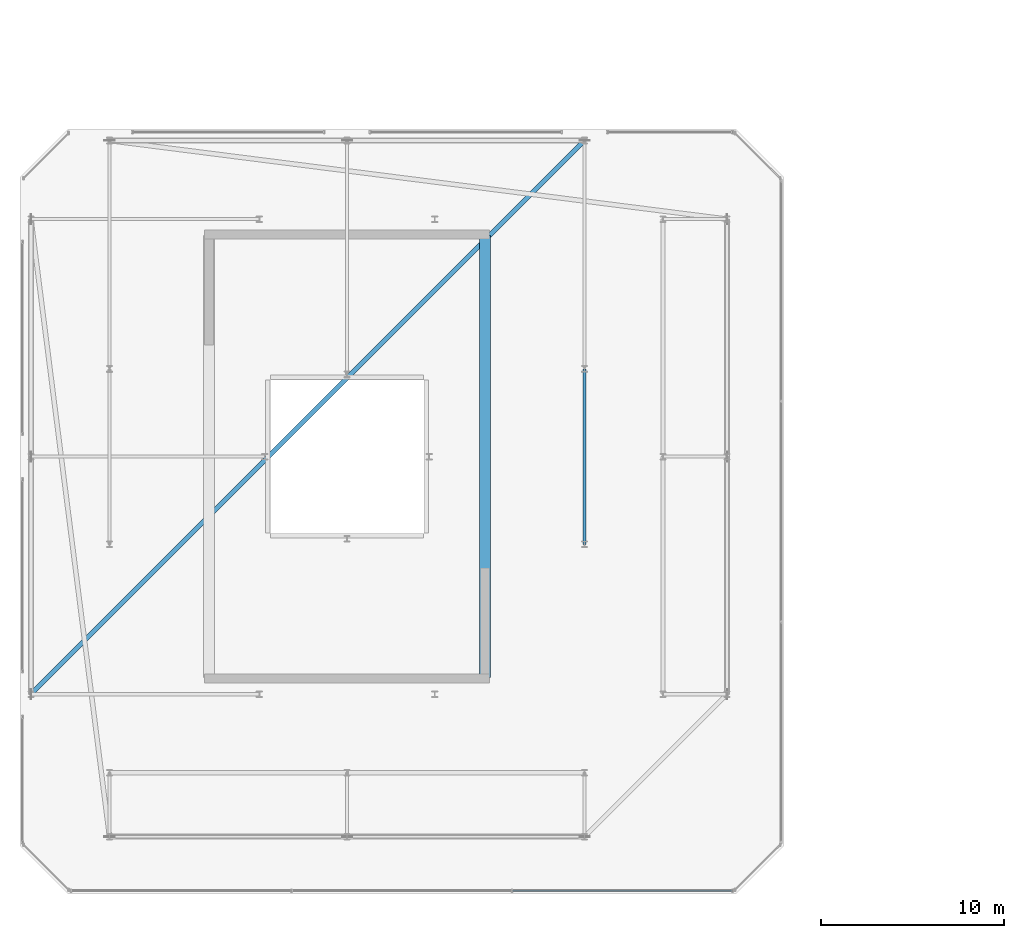
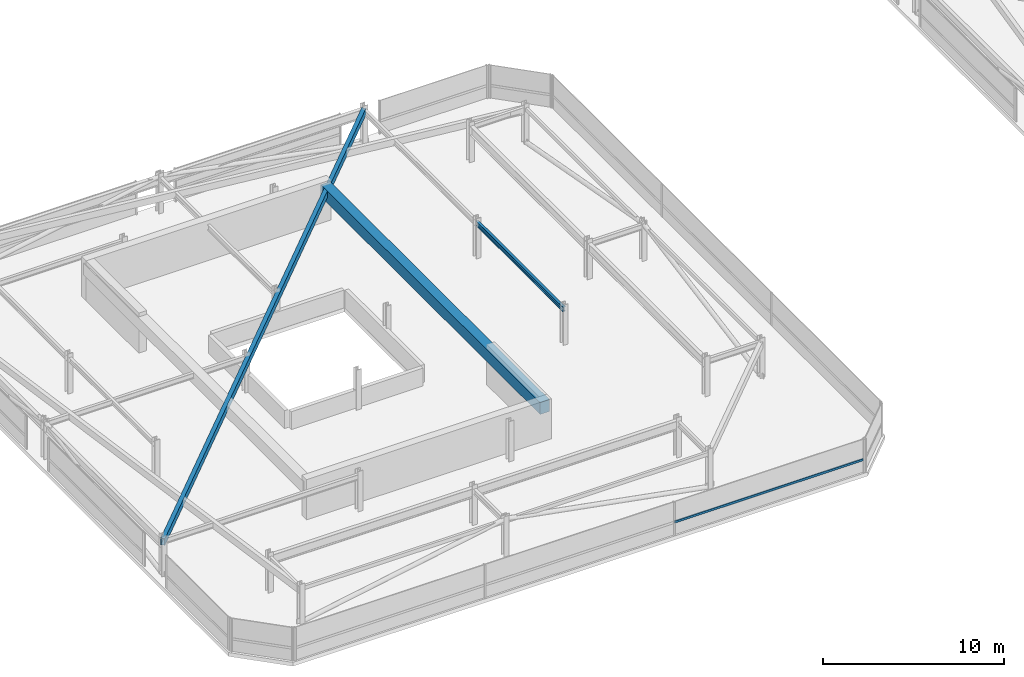
# One storey, part 15 of 42: 3 beams, 1 member, 1 element without a shape of its own.
"""IFC4 building model written with IfcOpenShell, lengths in metres."""

from ifc_helpers import new_model, si_unit, direction, frame, origin, origin_2d, place, context, subcontext, project, spatial, rectangle, hollow_rectangle, i_section, extrude, material, material_profile, profile_set, type_object, element, aggregate, save


model = new_model("IFC4")

# Units and contexts
model_context = context("Model", 3, precision=1e-05, world=origin(), true_north=direction((0.0, 1.0)))
body_context = subcontext(model_context, "Body", "Model", "MODEL_VIEW")
ifc_project = project(units=[si_unit("LENGTHUNIT", "METRE"), si_unit("AREAUNIT", "SQUARE_METRE"), si_unit("VOLUMEUNIT", "CUBIC_METRE"), si_unit("PLANEANGLEUNIT", "RADIAN"), si_unit("MASSUNIT", "GRAM", prefix="KILO")], contexts=[model_context])

# Site, building, storey
site_placement = place(None, origin())
site = spatial("IfcSite", under=ifc_project, at=site_placement, CompositionType="ELEMENT")
building_placement = place(site_placement, origin())
building = spatial("IfcBuilding", under=site, at=building_placement, Name="Thornwick Lancets Civic Towers", CompositionType="ELEMENT")
storey_placement = place(building_placement, frame((0.0, 0.0, 289.5)))
storey = spatial("IfcBuildingStorey", under=building, at=storey_placement, Name="C04", CompositionType="ELEMENT", Elevation=289.5)

# Beams
ifc_material_1 = material(Name="Concrete C60/75", Category="concrete")
ifc_material_profile_1 = material_profile(ifc_material_1, rectangle(XDim=0.60009765625, YDim=0.800048828125, at=origin_2d()), Name="RC 600x800")
ifc_profile_set_1 = profile_set([ifc_material_profile_1], Name="Concrete C60/75")
beam_type_1 = type_object("IfcBeamType", Name="BM_COUP_RC800", PredefinedType="BEAM", material=ifc_profile_set_1)
beam_1_placement = place(storey_placement, frame((33.050048828125, 14.89990234375, 2.0400390625), z_axis=(0.0, 1.0, 0.0), x_axis=(-1.0, 0.0, 0.0)))
element("IfcBeam", 1, at=beam_1_placement, inside=storey, type_object=beam_type_1, Name="CB-C04-A1", PredefinedType="BEAM", context=body_context, shape_type="SweptSolid", body=[
    extrude(rectangle(XDim=0.60009765625, YDim=0.800048828125, at=origin_2d()), origin(), (0.0, 0.0, 1.0), 24.2001953125),
])
ifc_material_2 = material(Name="Steel S355JR", Category="steel")
ifc_material_profile_2 = material_profile(ifc_material_2, i_section(OverallWidth=0.1669921875, OverallDepth=0.310302734375, WebThickness=0.0078125, FlangeThickness=0.013671875, FilletRadius=0.0087890625, at=origin_2d()), Name="UKB 305x165x54")
ifc_profile_set_2 = profile_set([ifc_material_profile_2], Name="Steel S355JR")
beam_type_2 = type_object("IfcBeamType", Name="BM_LINTEL_305_54", PredefinedType="LINTEL", material=ifc_profile_set_2)
beam_2_placement = place(storey_placement, frame((38.5, 22.199951171875, 2.284912109375), z_axis=(0.0, 1.0, 0.0), x_axis=(-1.0, 0.0, 0.0)))
element("IfcBeam", 2, at=beam_2_placement, inside=storey, type_object=beam_type_2, Name="BM-INSP-C04-A-1-3", PredefinedType="LINTEL", context=body_context, shape_type="SweptSolid", body=[
    extrude(i_section(OverallWidth=0.1669921875, OverallDepth=0.310302734375, WebThickness=0.0078125, FlangeThickness=0.013671875, FilletRadius=0.0087890625, at=origin_2d()), origin(), (0.0, 0.0, 1.0), 9.60009765625),
])
ifc_material_profile_3 = material_profile(ifc_material_2, hollow_rectangle(XDim=0.25, YDim=0.449951171875, WallThickness=0.01611328125, at=origin_2d()), Name="RHS 450x250x16")
ifc_profile_set_3 = profile_set([ifc_material_profile_3], Name="Steel S355JR")
beam_type_3 = type_object("IfcBeamType", Name="BM_RING_RHS450", PredefinedType="BEAM", material=ifc_profile_set_3)
beam_3_placement = place(storey_placement, frame((38.5, 44.300048828125, 2.215087890625), z_axis=(-0.707106781187, -0.707106781187, 0.0), x_axis=(0.707106781187, -0.707106781187, 0.0)))
element("IfcBeam", 3, at=beam_3_placement, inside=storey, type_object=beam_type_3, Name="BM-CHAMF-C04-A-C2", PredefinedType="BEAM", context=body_context, shape_type="SweptSolid", body=[
    extrude(hollow_rectangle(XDim=0.25, YDim=0.449951171875, WallThickness=0.01611328125, at=origin_2d()), origin(), (0.0, 0.0, 1.0), 42.850830078125),
])

# Curtain wall, member
ifc_material_3 = material(Name="Crown ring acoustic-louvre and glazing screen wall", Category="glass")
curtain_wall_type = type_object("IfcCurtainWallType", Name="CW_SYS_07", PredefinedType="NOTDEFINED", material=ifc_material_3)
curtain_wall_placement = place(storey_placement, origin())
curtain_wall = element("IfcCurtainWall", 4, at=curtain_wall_placement, inside=storey, type_object=curtain_wall_type, Name="C04 Curtain Wall CW-C04-A-E0", PredefinedType="NOTDEFINED")
ifc_material_4 = material(Name="Thermally broken bronze aluminium S355", Category="steel")
ifc_material_profile_4 = material_profile(ifc_material_4, hollow_rectangle(XDim=0.074951171875, YDim=0.14990234375, WallThickness=0.0048828125, at=origin_2d()), Name="RHS 150x75x5")
ifc_profile_set_4 = profile_set([ifc_material_profile_4], Name="Thermally broken bronze aluminium S355")
member_type = type_object("IfcMemberType", Name="CW_TRN_150", PredefinedType="USERDEFINED", material=ifc_profile_set_4)
member_placement = place(storey_placement, frame((34.5537109375, 3.2353515625, 0.85009765625), z_axis=(1.0, 0.0, 0.0), x_axis=(0.0, 1.0, 0.0)))
member = element("IfcMember", 5, at=member_placement, type_object=member_type, Name="CW-C04-A-E0 Transom 2", ObjectType="TRANSOM", PredefinedType="USERDEFINED", context=body_context, shape_type="SweptSolid", body=[
    extrude(hollow_rectangle(XDim=0.074951171875, YDim=0.14990234375, WallThickness=0.0048828125, at=origin_2d()), origin(), (0.0, 0.0, 1.0), 12.027587890625),
])
aggregate(curtain_wall, [member])

save(model, "model.ifc")
